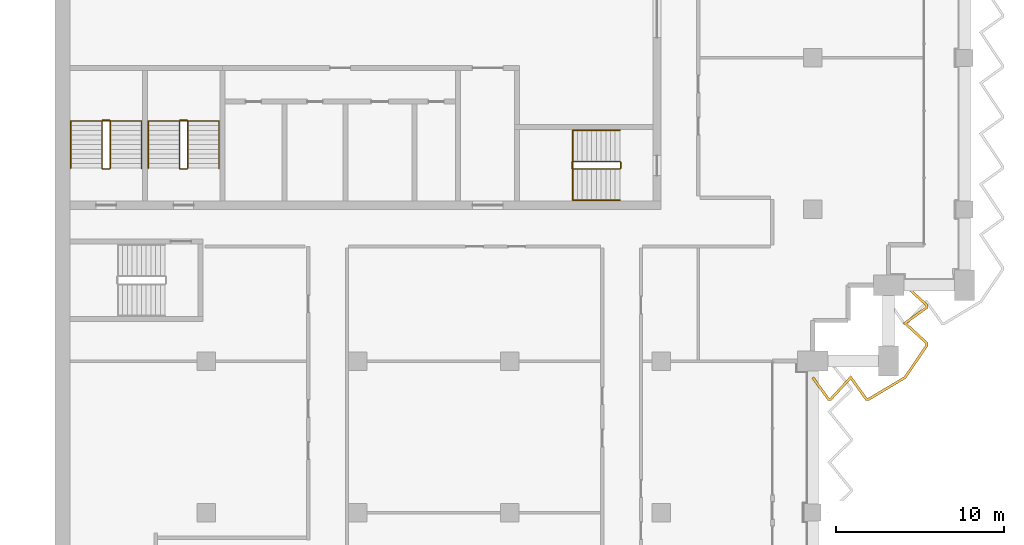
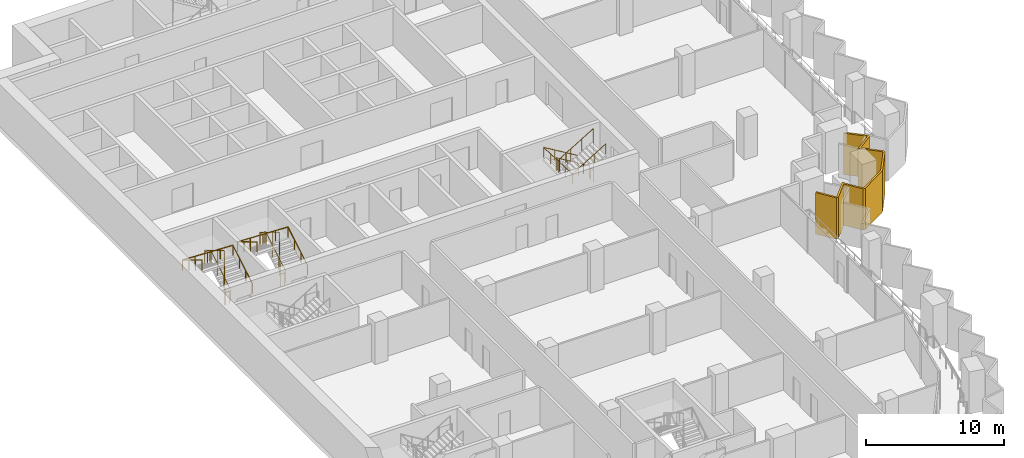
# One storey, part 16 of 17: 6 railings, 1 shading device.
"""IFC4 building model written with IfcOpenShell, lengths in metres."""

from ifc_helpers import new_model, si_unit, direction, frame, origin, origin_2d, place, context, subcontext, project, spatial, polyline, circle, outline, extrude, material, layer, layer_set, type_object, element, save


model = new_model("IFC4")

# Units and contexts
model_context = context("Model", 3, precision=1e-05, world=origin(), true_north=direction((0.0, 1.0)))
body_context = subcontext(model_context, "Body", "Model", "MODEL_VIEW")
ifc_project = project(units=[si_unit("LENGTHUNIT", "METRE"), si_unit("AREAUNIT", "SQUARE_METRE"), si_unit("VOLUMEUNIT", "CUBIC_METRE"), si_unit("PLANEANGLEUNIT", "RADIAN"), si_unit("MASSUNIT", "GRAM", prefix="KILO")], contexts=[model_context])

# Site, building, storey
site_placement = place(None, origin())
site = spatial("IfcSite", under=ifc_project, at=site_placement, CompositionType="ELEMENT")
building_placement = place(site_placement, origin())
building = spatial("IfcBuilding", under=site, at=building_placement, Name="Hunhe Ridgeline Campus", CompositionType="ELEMENT")
storey_placement = place(building_placement, frame((0.0, 0.0, 186.5)))
storey = spatial("IfcBuildingStorey", under=building, at=storey_placement, Name="L47", CompositionType="ELEMENT", Elevation=186.5)

# Shading device
ifc_material_1 = material(Name="Concrete C50", Category="concrete")
ifc_layer = layer(ifc_material_1, 0.14990234375)
ifc_layer_set = layer_set([ifc_layer], Name="Sawtooth concrete fin 150 Concrete C50")
shading_device_type = type_object("IfcShadingDeviceType", Name="Sawtooth concrete fin 150 Concrete C50", PredefinedType="USERDEFINED", material=ifc_layer_set)
shading_device_placement = place(storey_placement, frame((0.0, 0.0, -0.949951171875)))
element("IfcShadingDevice", 1, at=shading_device_placement, inside=storey, type_object=shading_device_type, Name="Concrete fin screen 2", ObjectType="FIN", PredefinedType="USERDEFINED", context=body_context, shape_type="SweptSolid", body=[
    extrude(outline(polyline([(45.060791015625, 53.06884765625), (44.939208984375, 52.981201171875), (45.896484375, 51.64990234375), (46.087890625, 51.64990234375), (47.242919921875, 52.906494140625), (48.146484375, 51.64990234375), (48.32568359375, 51.64990234375), (50.52783203125, 52.96923828125), (51.85009765625, 54.911865234375), (51.85009765625, 55.087890625), (50.593505859375, 56.242919921875), (51.85009765625, 57.146484375), (51.85009765625, 57.337890625), (50.525634765625, 58.55517578125), (50.42431640625, 58.44482421875), (51.699951171875, 57.27197265625), (51.699951171875, 57.223388671875), (50.3564453125, 56.257080078125), (51.699951171875, 55.02197265625), (51.699951171875, 54.9580078125), (50.42236328125, 53.080810546875), (48.2841796875, 51.800048828125), (48.223388671875, 51.800048828125), (47.257080078125, 53.1435546875), (46.02197265625, 51.800048828125), (45.973388671875, 51.800048828125), (45.060791015625, 53.06884765625)])), origin(), (0.0, 0.0, 1.0), 3.64990234375),
])

# Railings
ifc_material_2 = material(Name="Stainless steel balustrade", Category="steel")
railing_type_1 = type_object("IfcRailingType", Name="Stair guard 1100 stainless", PredefinedType="GUARDRAIL", material=ifc_material_2)
railing_1_placement = place(storey_placement, frame((33.550048828125, 65.85009765625, 0.168212890625)))
element("IfcRailing", 2, at=railing_1_placement, inside=storey, type_object=railing_type_1, Name="L47 stair S2 guard", PredefinedType="GUARDRAIL", context=body_context, shape_type="SweptSolid", body=[
    extrude(circle(Radius=0.02392578125, at=origin_2d()), frame((0.0, 0.0, 1.076171875), z_axis=(-0.857242210791, 0.0, 0.514913383045), x_axis=(0.0, -1.0, 0.0)), (0.0, 0.0, 1.0), 3.266357421875),
    extrude(circle(Radius=0.02392578125, at=origin_2d()), frame((-2.800048828125, 0.0, 2.7578125), z_axis=(-0.707106781187, -0.707106781187, 0.0), x_axis=(0.707106781187, -0.707106781187, 0.0)), (0.0, 0.0, 1.0), 0.07080078125),
    extrude(circle(Radius=0.02392578125, at=origin_2d()), frame((-2.85009765625, -0.050048828125, 2.7578125), z_axis=(0.0, -1.0, 0.0), x_axis=(1.0, 0.0, 0.0)), (0.0, 0.0, 1.0), 0.35009765625),
    extrude(circle(Radius=0.02392578125, at=origin_2d()), frame((-2.85009765625, -0.400146484375, 2.7578125), z_axis=(0.274582412415, -0.274582412415, 0.921525364591), x_axis=(0.707106781187, 0.707106781187, 0.0)), (0.0, 0.0, 1.0), 0.182373046875),
    extrude(circle(Radius=0.02392578125, at=origin_2d()), frame((-2.800048828125, -0.4501953125, 2.92578125), z_axis=(0.857242210791, 0.0, 0.514913383045), x_axis=(0.0, 1.0, 0.0)), (0.0, 0.0, 1.0), 3.266357421875),
    extrude(circle(Radius=0.02392578125, at=origin_2d()), frame((0.0, -0.4501953125, 4.60791015625), z_axis=(0.013524414389, 0.013524414389, -0.999817073484), x_axis=(-0.707106781187, 0.707106781187, 0.0)), (0.0, 0.0, 1.0), 3.70068359375),
    extrude(circle(Radius=0.02392578125, at=origin_2d()), frame((0.050048828125, -0.400146484375, 0.90771484375), z_axis=(0.0, 1.0, 0.0), x_axis=(-1.0, 0.0, 0.0)), (0.0, 0.0, 1.0), 0.35009765625),
    extrude(circle(Radius=0.02099609375, at=origin_2d()), origin(), (0.0, 0.0, 1.0), 1.052001953125),
    extrude(circle(Radius=0.02099609375, at=origin_2d()), frame((-0.933349609375, 0.0, 0.560546875)), (0.0, 0.0, 1.0), 1.052001953125),
    extrude(circle(Radius=0.02099609375, at=origin_2d()), frame((-1.86669921875, 0.0, 1.121337890625)), (0.0, 0.0, 1.0), 1.052001953125),
    extrude(circle(Radius=0.02099609375, at=origin_2d()), frame((-2.800048828125, 0.0, 1.681884765625)), (0.0, 0.0, 1.0), 1.052001953125),
    extrude(circle(Radius=0.02099609375, at=origin_2d()), frame((-2.85009765625, -0.050048828125, 1.681884765625)), (0.0, 0.0, 1.0), 1.052001953125),
    extrude(circle(Radius=0.02099609375, at=origin_2d()), frame((-2.85009765625, -0.400146484375, 1.681884765625)), (0.0, 0.0, 1.0), 1.052001953125),
    extrude(circle(Radius=0.02099609375, at=origin_2d()), frame((-2.800048828125, -0.4501953125, 1.849853515625)), (0.0, 0.0, 1.0), 1.052001953125),
    extrude(circle(Radius=0.02099609375, at=origin_2d()), frame((-1.86669921875, -0.4501953125, 2.410400390625)), (0.0, 0.0, 1.0), 1.052001953125),
    extrude(circle(Radius=0.02099609375, at=origin_2d()), frame((-0.933349609375, -0.4501953125, 2.97119140625)), (0.0, 0.0, 1.0), 1.052001953125),
    extrude(circle(Radius=0.02099609375, at=origin_2d()), frame((0.0, -0.4501953125, 3.53173828125)), (0.0, 0.0, 1.0), 1.052001953125),
    extrude(circle(Radius=0.02099609375, at=origin_2d()), frame((0.012451171875, -0.437744140625, 2.606689453125)), (0.0, 0.0, 1.0), 1.052001953125),
    extrude(circle(Radius=0.02099609375, at=origin_2d()), frame((0.02490234375, -0.42529296875, 1.681640625)), (0.0, 0.0, 1.0), 1.052001953125),
    extrude(circle(Radius=0.02099609375, at=origin_2d()), frame((0.03759765625, -0.41259765625, 0.7568359375)), (0.0, 0.0, 1.0), 1.052001953125),
    extrude(circle(Radius=0.02099609375, at=origin_2d()), frame((0.050048828125, -0.400146484375, -0.168212890625)), (0.0, 0.0, 1.0), 1.052001953125),
    extrude(circle(Radius=0.02099609375, at=origin_2d()), frame((0.050048828125, -0.050048828125, -0.168212890625)), (0.0, 0.0, 1.0), 1.052001953125),
])
railing_2_placement = place(storey_placement, frame((3.300048828125, 65.449951171875, 0.168212890625)))
element("IfcRailing", 3, at=railing_2_placement, inside=storey, type_object=railing_type_1, Name="L47 stair S3 guard", PredefinedType="GUARDRAIL", context=body_context, shape_type="SweptSolid", body=[
    extrude(circle(Radius=0.02392578125, at=origin_2d()), frame((0.0, 0.0, 1.076171875), z_axis=(0.0, 0.857242210791, 0.514913383045), x_axis=(-1.0, 0.0, 0.0)), (0.0, 0.0, 1.0), 3.266357421875),
    extrude(circle(Radius=0.02392578125, at=origin_2d()), frame((0.0, 2.800048828125, 2.7578125), z_axis=(-0.707106781187, 0.707106781187, 0.0), x_axis=(-0.707106781187, -0.707106781187, 0.0)), (0.0, 0.0, 1.0), 0.07080078125),
    extrude(circle(Radius=0.02392578125, at=origin_2d()), frame((-0.050048828125, 2.85009765625, 2.7578125), z_axis=(-1.0, 0.0, 0.0), x_axis=(0.0, -1.0, 0.0)), (0.0, 0.0, 1.0), 0.39990234375),
    extrude(circle(Radius=0.02392578125, at=origin_2d()), frame((-0.449951171875, 2.85009765625, 2.7578125), z_axis=(-0.274582412415, -0.274582412415, 0.921525364591), x_axis=(0.707106781187, -0.707106781187, 0.0)), (0.0, 0.0, 1.0), 0.182373046875),
    extrude(circle(Radius=0.02392578125, at=origin_2d()), frame((-0.5, 2.800048828125, 2.92578125), z_axis=(0.0, -0.857242210791, 0.514913383045), x_axis=(1.0, 0.0, 0.0)), (0.0, 0.0, 1.0), 3.266357421875),
    extrude(circle(Radius=0.02392578125, at=origin_2d()), frame((-0.5, 0.0, 4.60791015625), z_axis=(0.013524414389, -0.013524414389, -0.999817073484), x_axis=(0.707106781187, 0.707106781187, 0.0)), (0.0, 0.0, 1.0), 3.70068359375),
    extrude(circle(Radius=0.02392578125, at=origin_2d()), frame((-0.449951171875, -0.050048828125, 0.90771484375), z_axis=(1.0, 0.0, 0.0), x_axis=(0.0, 1.0, 0.0)), (0.0, 0.0, 1.0), 0.39990234375),
    extrude(circle(Radius=0.02099609375, at=origin_2d()), origin(), (0.0, 0.0, 1.0), 1.052001953125),
    extrude(circle(Radius=0.02099609375, at=origin_2d()), frame((0.0, 0.933349609375, 0.560546875)), (0.0, 0.0, 1.0), 1.052001953125),
    extrude(circle(Radius=0.02099609375, at=origin_2d()), frame((0.0, 1.86669921875, 1.121337890625)), (0.0, 0.0, 1.0), 1.052001953125),
    extrude(circle(Radius=0.02099609375, at=origin_2d()), frame((0.0, 2.800048828125, 1.681884765625)), (0.0, 0.0, 1.0), 1.052001953125),
    extrude(circle(Radius=0.02099609375, at=origin_2d()), frame((-0.050048828125, 2.85009765625, 1.681884765625)), (0.0, 0.0, 1.0), 1.052001953125),
    extrude(circle(Radius=0.02099609375, at=origin_2d()), frame((-0.449951171875, 2.85009765625, 1.681884765625)), (0.0, 0.0, 1.0), 1.052001953125),
    extrude(circle(Radius=0.02099609375, at=origin_2d()), frame((-0.5, 2.800048828125, 1.849853515625)), (0.0, 0.0, 1.0), 1.052001953125),
    extrude(circle(Radius=0.02099609375, at=origin_2d()), frame((-0.5, 1.86669921875, 2.410400390625)), (0.0, 0.0, 1.0), 1.052001953125),
    extrude(circle(Radius=0.02099609375, at=origin_2d()), frame((-0.5, 0.933349609375, 2.97119140625)), (0.0, 0.0, 1.0), 1.052001953125),
    extrude(circle(Radius=0.02099609375, at=origin_2d()), frame((-0.5, 0.0, 3.53173828125)), (0.0, 0.0, 1.0), 1.052001953125),
    extrude(circle(Radius=0.02099609375, at=origin_2d()), frame((-0.487548828125, -0.012451171875, 2.606689453125)), (0.0, 0.0, 1.0), 1.052001953125),
    extrude(circle(Radius=0.02099609375, at=origin_2d()), frame((-0.47509765625, -0.02490234375, 1.681640625)), (0.0, 0.0, 1.0), 1.052001953125),
    extrude(circle(Radius=0.02099609375, at=origin_2d()), frame((-0.46240234375, -0.03759765625, 0.7568359375)), (0.0, 0.0, 1.0), 1.052001953125),
    extrude(circle(Radius=0.02099609375, at=origin_2d()), frame((-0.449951171875, -0.050048828125, -0.168212890625)), (0.0, 0.0, 1.0), 1.052001953125),
    extrude(circle(Radius=0.02099609375, at=origin_2d()), frame((-0.050048828125, -0.050048828125, -0.168212890625)), (0.0, 0.0, 1.0), 1.052001953125),
])
railing_3_placement = place(storey_placement, frame((7.89990234375, 65.449951171875, 0.168212890625)))
element("IfcRailing", 4, at=railing_3_placement, inside=storey, type_object=railing_type_1, Name="L47 stair S4 guard", PredefinedType="GUARDRAIL", context=body_context, shape_type="SweptSolid", body=[
    extrude(circle(Radius=0.02392578125, at=origin_2d()), frame((0.0, 0.0, 1.076171875), z_axis=(0.0, 0.857242210791, 0.514913383045), x_axis=(-1.0, 0.0, 0.0)), (0.0, 0.0, 1.0), 3.266357421875),
    extrude(circle(Radius=0.02392578125, at=origin_2d()), frame((0.0, 2.800048828125, 2.7578125), z_axis=(-0.705375805398, 0.708833529934, 0.0), x_axis=(-0.708833529934, -0.705375805398, 0.0)), (0.0, 0.0, 1.0), 0.070556640625),
    extrude(circle(Radius=0.02392578125, at=origin_2d()), frame((-0.0498046875, 2.85009765625, 2.7578125), z_axis=(-1.0, 0.0, 0.0), x_axis=(0.0, -1.0, 0.0)), (0.0, 0.0, 1.0), 0.400146484375),
    extrude(circle(Radius=0.02392578125, at=origin_2d()), frame((-0.449951171875, 2.85009765625, 2.7578125), z_axis=(-0.274582412415, -0.274582412415, 0.921525364591), x_axis=(0.707106781187, -0.707106781187, 0.0)), (0.0, 0.0, 1.0), 0.182373046875),
    extrude(circle(Radius=0.02392578125, at=origin_2d()), frame((-0.5, 2.800048828125, 2.92578125), z_axis=(0.0, -0.857242210791, 0.514913383045), x_axis=(1.0, 0.0, 0.0)), (0.0, 0.0, 1.0), 3.266357421875),
    extrude(circle(Radius=0.02392578125, at=origin_2d()), frame((-0.5, 0.0, 4.60791015625), z_axis=(0.013524414389, -0.013524414389, -0.999817073484), x_axis=(0.707106781187, 0.707106781187, 0.0)), (0.0, 0.0, 1.0), 3.70068359375),
    extrude(circle(Radius=0.02392578125, at=origin_2d()), frame((-0.449951171875, -0.050048828125, 0.90771484375), z_axis=(1.0, 0.0, 0.0), x_axis=(0.0, 1.0, 0.0)), (0.0, 0.0, 1.0), 0.400146484375),
    extrude(circle(Radius=0.02099609375, at=origin_2d()), origin(), (0.0, 0.0, 1.0), 1.052001953125),
    extrude(circle(Radius=0.02099609375, at=origin_2d()), frame((0.0, 0.933349609375, 0.560546875)), (0.0, 0.0, 1.0), 1.052001953125),
    extrude(circle(Radius=0.02099609375, at=origin_2d()), frame((0.0, 1.86669921875, 1.121337890625)), (0.0, 0.0, 1.0), 1.052001953125),
    extrude(circle(Radius=0.02099609375, at=origin_2d()), frame((0.0, 2.800048828125, 1.681884765625)), (0.0, 0.0, 1.0), 1.052001953125),
    extrude(circle(Radius=0.02099609375, at=origin_2d()), frame((-0.0498046875, 2.85009765625, 1.681884765625)), (0.0, 0.0, 1.0), 1.052001953125),
    extrude(circle(Radius=0.02099609375, at=origin_2d()), frame((-0.449951171875, 2.85009765625, 1.681884765625)), (0.0, 0.0, 1.0), 1.052001953125),
    extrude(circle(Radius=0.02099609375, at=origin_2d()), frame((-0.5, 2.800048828125, 1.849853515625)), (0.0, 0.0, 1.0), 1.052001953125),
    extrude(circle(Radius=0.02099609375, at=origin_2d()), frame((-0.5, 1.86669921875, 2.410400390625)), (0.0, 0.0, 1.0), 1.052001953125),
    extrude(circle(Radius=0.02099609375, at=origin_2d()), frame((-0.5, 0.933349609375, 2.97119140625)), (0.0, 0.0, 1.0), 1.052001953125),
    extrude(circle(Radius=0.02099609375, at=origin_2d()), frame((-0.5, 0.0, 3.53173828125)), (0.0, 0.0, 1.0), 1.052001953125),
    extrude(circle(Radius=0.02099609375, at=origin_2d()), frame((-0.487548828125, -0.012451171875, 2.606689453125)), (0.0, 0.0, 1.0), 1.052001953125),
    extrude(circle(Radius=0.02099609375, at=origin_2d()), frame((-0.47509765625, -0.02490234375, 1.681640625)), (0.0, 0.0, 1.0), 1.052001953125),
    extrude(circle(Radius=0.02099609375, at=origin_2d()), frame((-0.46240234375, -0.03759765625, 0.7568359375)), (0.0, 0.0, 1.0), 1.052001953125),
    extrude(circle(Radius=0.02099609375, at=origin_2d()), frame((-0.449951171875, -0.050048828125, -0.168212890625)), (0.0, 0.0, 1.0), 1.052001953125),
    extrude(circle(Radius=0.02099609375, at=origin_2d()), frame((-0.0498046875, -0.050048828125, -0.168212890625)), (0.0, 0.0, 1.0), 1.052001953125),
])
ifc_material_3 = material(Name="Stainless steel handrail", Category="steel")
railing_type_2 = type_object("IfcRailingType", Name="Stair handrail 900 stainless", PredefinedType="HANDRAIL", material=ifc_material_3)
railing_4_placement = place(storey_placement, frame((33.550048828125, 67.699951171875, 0.168212890625)))
element("IfcRailing", 5, at=railing_4_placement, inside=storey, type_object=railing_type_2, Name="L47 stair S2 handrail", PredefinedType="HANDRAIL", context=body_context, shape_type="SweptSolid", body=[
    extrude(circle(Radius=0.02392578125, at=origin_2d()), frame((0.0, 0.0, 0.8759765625), z_axis=(-0.857242210791, 0.0, 0.514913383045), x_axis=(0.0, -1.0, 0.0)), (0.0, 0.0, 1.0), 3.266357421875),
    extrude(circle(Radius=0.02392578125, at=origin_2d()), frame((-2.800048828125, 0.0, 2.5576171875), z_axis=(0.0, -0.999181878101, 0.040442236271), x_axis=(1.0, 0.0, 0.0)), (0.0, 0.0, 1.0), 4.1533203125),
    extrude(circle(Radius=0.02392578125, at=origin_2d()), frame((-2.800048828125, -4.14990234375, 2.7255859375), z_axis=(0.857242210791, 0.0, 0.514913383045), x_axis=(0.0, 1.0, 0.0)), (0.0, 0.0, 1.0), 3.266357421875),
    extrude(circle(Radius=0.02099609375, at=origin_2d()), origin(), (0.0, 0.0, 1.0), 0.851806640625),
    extrude(circle(Radius=0.02099609375, at=origin_2d()), frame((-0.933349609375, 0.0, 0.560546875)), (0.0, 0.0, 1.0), 0.851806640625),
    extrude(circle(Radius=0.02099609375, at=origin_2d()), frame((-1.86669921875, 0.0, 1.121337890625)), (0.0, 0.0, 1.0), 0.851806640625),
    extrude(circle(Radius=0.02099609375, at=origin_2d()), frame((-2.800048828125, 0.0, 1.681884765625)), (0.0, 0.0, 1.0), 0.851806640625),
    extrude(circle(Radius=0.02099609375, at=origin_2d()), frame((-2.800048828125, -1.03759765625, 1.723876953125)), (0.0, 0.0, 1.0), 0.851806640625),
    extrude(circle(Radius=0.02099609375, at=origin_2d()), frame((-2.800048828125, -2.074951171875, 1.765869140625)), (0.0, 0.0, 1.0), 0.851806640625),
    extrude(circle(Radius=0.02099609375, at=origin_2d()), frame((-2.800048828125, -3.1123046875, 1.807861328125)), (0.0, 0.0, 1.0), 0.851806640625),
    extrude(circle(Radius=0.02099609375, at=origin_2d()), frame((-2.800048828125, -4.14990234375, 1.849853515625)), (0.0, 0.0, 1.0), 0.851806640625),
    extrude(circle(Radius=0.02099609375, at=origin_2d()), frame((-1.86669921875, -4.14990234375, 2.410400390625)), (0.0, 0.0, 1.0), 0.851806640625),
    extrude(circle(Radius=0.02099609375, at=origin_2d()), frame((-0.933349609375, -4.14990234375, 2.97119140625)), (0.0, 0.0, 1.0), 0.851806640625),
    extrude(circle(Radius=0.02099609375, at=origin_2d()), frame((0.0, -4.14990234375, 3.53173828125)), (0.0, 0.0, 1.0), 0.851806640625),
])
railing_5_placement = place(storey_placement, frame((5.14990234375, 65.449951171875, 0.168212890625)))
element("IfcRailing", 6, at=railing_5_placement, inside=storey, type_object=railing_type_2, Name="L47 stair S3 handrail", PredefinedType="HANDRAIL", context=body_context, shape_type="SweptSolid", body=[
    extrude(circle(Radius=0.02392578125, at=origin_2d()), frame((0.0, 0.0, 0.8759765625), z_axis=(0.0, 0.857242210791, 0.514913383045), x_axis=(-1.0, 0.0, 0.0)), (0.0, 0.0, 1.0), 3.266357421875),
    extrude(circle(Radius=0.02392578125, at=origin_2d()), frame((0.0, 2.800048828125, 2.5576171875), z_axis=(-0.99920123705, 0.0, 0.039961079526), x_axis=(0.0, -1.0, 0.0)), (0.0, 0.0, 1.0), 4.203369140625),
    extrude(circle(Radius=0.02392578125, at=origin_2d()), frame((-4.199951171875, 2.800048828125, 2.7255859375), z_axis=(0.0, -0.857242210791, 0.514913383045), x_axis=(1.0, 0.0, 0.0)), (0.0, 0.0, 1.0), 3.266357421875),
    extrude(circle(Radius=0.02099609375, at=origin_2d()), origin(), (0.0, 0.0, 1.0), 0.851806640625),
    extrude(circle(Radius=0.02099609375, at=origin_2d()), frame((0.0, 0.933349609375, 0.560546875)), (0.0, 0.0, 1.0), 0.851806640625),
    extrude(circle(Radius=0.02099609375, at=origin_2d()), frame((0.0, 1.86669921875, 1.121337890625)), (0.0, 0.0, 1.0), 0.851806640625),
    extrude(circle(Radius=0.02099609375, at=origin_2d()), frame((0.0, 2.800048828125, 1.681884765625)), (0.0, 0.0, 1.0), 0.851806640625),
    extrude(circle(Radius=0.02099609375, at=origin_2d()), frame((-1.050048828125, 2.800048828125, 1.723876953125)), (0.0, 0.0, 1.0), 0.851806640625),
    extrude(circle(Radius=0.02099609375, at=origin_2d()), frame((-2.10009765625, 2.800048828125, 1.765869140625)), (0.0, 0.0, 1.0), 0.851806640625),
    extrude(circle(Radius=0.02099609375, at=origin_2d()), frame((-3.14990234375, 2.800048828125, 1.807861328125)), (0.0, 0.0, 1.0), 0.851806640625),
    extrude(circle(Radius=0.02099609375, at=origin_2d()), frame((-4.199951171875, 2.800048828125, 1.849853515625)), (0.0, 0.0, 1.0), 0.851806640625),
    extrude(circle(Radius=0.02099609375, at=origin_2d()), frame((-4.199951171875, 1.86669921875, 2.410400390625)), (0.0, 0.0, 1.0), 0.851806640625),
    extrude(circle(Radius=0.02099609375, at=origin_2d()), frame((-4.199951171875, 0.933349609375, 2.97119140625)), (0.0, 0.0, 1.0), 0.851806640625),
    extrude(circle(Radius=0.02099609375, at=origin_2d()), frame((-4.199951171875, 0.0, 3.53173828125)), (0.0, 0.0, 1.0), 0.851806640625),
])
railing_6_placement = place(storey_placement, frame((9.75, 65.449951171875, 0.168212890625)))
element("IfcRailing", 7, at=railing_6_placement, inside=storey, type_object=railing_type_2, Name="L47 stair S4 handrail", PredefinedType="HANDRAIL", context=body_context, shape_type="SweptSolid", body=[
    extrude(circle(Radius=0.02392578125, at=origin_2d()), frame((0.0, 0.0, 0.8759765625), z_axis=(0.0, 0.857242210791, 0.514913383045), x_axis=(-1.0, 0.0, 0.0)), (0.0, 0.0, 1.0), 3.266357421875),
    extrude(circle(Radius=0.02392578125, at=origin_2d()), frame((0.0, 2.800048828125, 2.5576171875), z_axis=(-0.99920123705, 0.0, 0.039961079526), x_axis=(0.0, -1.0, 0.0)), (0.0, 0.0, 1.0), 4.203369140625),
    extrude(circle(Radius=0.02392578125, at=origin_2d()), frame((-4.199951171875, 2.800048828125, 2.7255859375), z_axis=(0.0, -0.857242210791, 0.514913383045), x_axis=(1.0, 0.0, 0.0)), (0.0, 0.0, 1.0), 3.266357421875),
    extrude(circle(Radius=0.02099609375, at=origin_2d()), origin(), (0.0, 0.0, 1.0), 0.851806640625),
    extrude(circle(Radius=0.02099609375, at=origin_2d()), frame((0.0, 0.933349609375, 0.560546875)), (0.0, 0.0, 1.0), 0.851806640625),
    extrude(circle(Radius=0.02099609375, at=origin_2d()), frame((0.0, 1.86669921875, 1.121337890625)), (0.0, 0.0, 1.0), 0.851806640625),
    extrude(circle(Radius=0.02099609375, at=origin_2d()), frame((0.0, 2.800048828125, 1.681884765625)), (0.0, 0.0, 1.0), 0.851806640625),
    extrude(circle(Radius=0.02099609375, at=origin_2d()), frame((-1.050048828125, 2.800048828125, 1.723876953125)), (0.0, 0.0, 1.0), 0.851806640625),
    extrude(circle(Radius=0.02099609375, at=origin_2d()), frame((-2.10009765625, 2.800048828125, 1.765869140625)), (0.0, 0.0, 1.0), 0.851806640625),
    extrude(circle(Radius=0.02099609375, at=origin_2d()), frame((-3.14990234375, 2.800048828125, 1.807861328125)), (0.0, 0.0, 1.0), 0.851806640625),
    extrude(circle(Radius=0.02099609375, at=origin_2d()), frame((-4.199951171875, 2.800048828125, 1.849853515625)), (0.0, 0.0, 1.0), 0.851806640625),
    extrude(circle(Radius=0.02099609375, at=origin_2d()), frame((-4.199951171875, 1.86669921875, 2.410400390625)), (0.0, 0.0, 1.0), 0.851806640625),
    extrude(circle(Radius=0.02099609375, at=origin_2d()), frame((-4.199951171875, 0.933349609375, 2.97119140625)), (0.0, 0.0, 1.0), 0.851806640625),
    extrude(circle(Radius=0.02099609375, at=origin_2d()), frame((-4.199951171875, 0.0, 3.53173828125)), (0.0, 0.0, 1.0), 0.851806640625),
])

save(model, "model.ifc")
